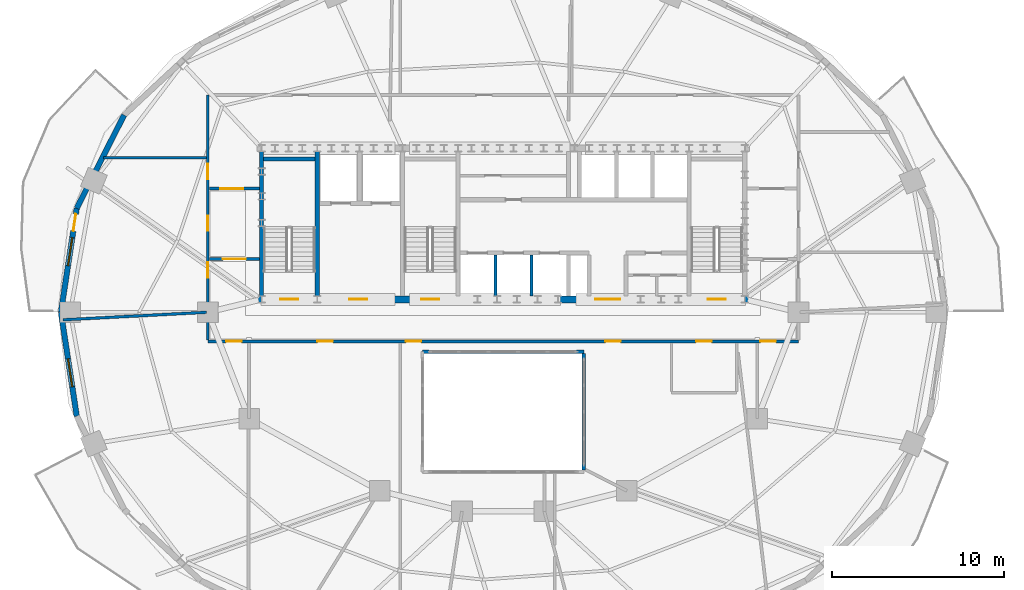
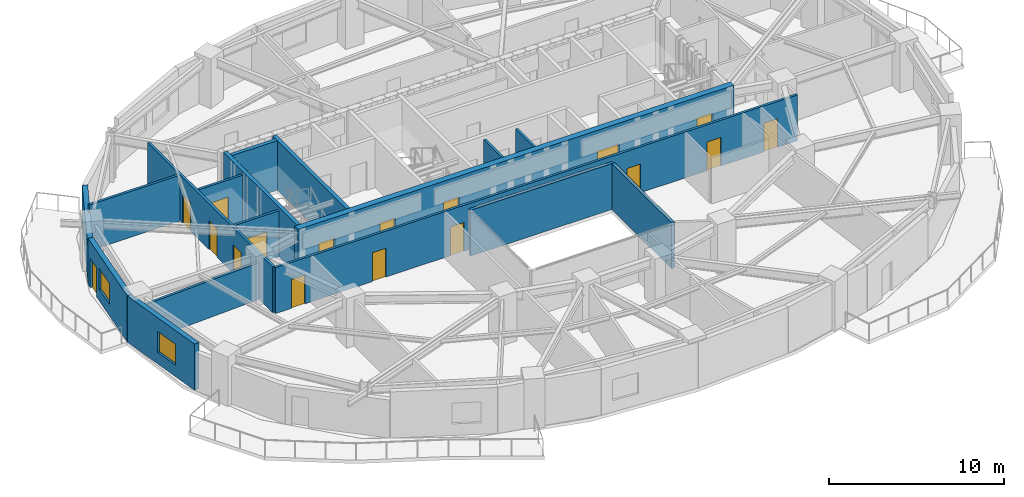
# One storey, part 6 of 11: 17 doors, 17 walls, 2 windows, 19 openings.
"""IFC4 building model written with IfcOpenShell, lengths in metres."""

from ifc_helpers import new_model, si_unit, direction, frame, frame_2d, origin, place, context, subcontext, project, spatial, rectangle, extrude, material, layer, layer_set, type_object, element, fill, save


model = new_model("IFC4")

# Units and contexts
model_context = context("Model", 3, precision=1e-05, world=origin(), true_north=direction((0.0, 1.0)))
body_context = subcontext(model_context, "Body", "Model", "MODEL_VIEW")
ifc_project = project(units=[si_unit("LENGTHUNIT", "METRE"), si_unit("AREAUNIT", "SQUARE_METRE"), si_unit("VOLUMEUNIT", "CUBIC_METRE"), si_unit("PLANEANGLEUNIT", "RADIAN"), si_unit("MASSUNIT", "GRAM", prefix="KILO")], contexts=[model_context])

# Site, building, storey
site_placement = place(None, origin())
site = spatial("IfcSite", under=ifc_project, at=site_placement, CompositionType="ELEMENT")
building_placement = place(site_placement, origin())
building = spatial("IfcBuilding", under=site, at=building_placement, Name="Haldorwick Loom Tower", CompositionType="ELEMENT")
storey_placement = place(building_placement, frame((0.0, 0.0, 171.699951171875)))
storey = spatial("IfcBuildingStorey", under=building, at=storey_placement, Name="L46", CompositionType="ELEMENT", Elevation=171.699951171875)

# Wall
ifc_material_1 = material(Name="Pressed Clay Face Brick and Insulated Masonry Backup Assembly", Category="masonry")
ifc_layer_1 = layer(ifc_material_1, 0.320068359375, Name="Pressed Clay Face Brick and Insulated Masonry Backup Assembly", Category="masonry")
ifc_layer_set_1 = layer_set([ifc_layer_1], Name="Pressed Clay Face Brick and Insulated Masonry Backup Assembly")
wall_type_1 = type_object("IfcWallType", Name="ARC-WL-EXT320", PredefinedType="STANDARD", material=ifc_layer_set_1)
wall_1_placement = place(storey_placement, frame((13.92333984375, 37.481201171875, 0.0), z_axis=(0.0, 0.0, 1.0), x_axis=(-0.453172129629, -0.89142303141, 0.0)))
element("IfcWall", 1, at=wall_1_placement, inside=storey, type_object=wall_type_1, Name="L46 Brick Pier and Spandrel Wall 11", PredefinedType="STANDARD", context=body_context, shape_type="SweptSolid", body=[
    extrude(rectangle(XDim=6.086669921875, YDim=0.320068359375, at=frame_2d((3.04345703125, 0.0))), origin(), (0.0, 0.0, 1.0), 2.64111328125),
])

# Wall, openings, door, window
wall_2_placement = place(storey_placement, frame((11.1650390625, 32.055419921875, 0.0), z_axis=(0.0, 0.0, 1.0), x_axis=(-0.150544467684, -0.988603238539, 0.0)))
wall_2 = element("IfcWall", 2, at=wall_2_placement, inside=storey, type_object=wall_type_1, Name="L46 Brick Pier and Spandrel Wall 12", PredefinedType="STANDARD", context=body_context, shape_type="SweptSolid", body=[
    extrude(rectangle(XDim=6.125244140625, YDim=0.320068359375, at=frame_2d((3.0625, 0.0))), origin(), (0.0, 0.0, 1.0), 3.2099609375),
])
opening_1_placement = place(wall_2_placement, frame((0.340087890625, 0.0, 0.0)))
opening_1 = element("IfcOpeningElement", 3, at=opening_1_placement, cuts=wall_2, Name="Opening D-BL10", PredefinedType="OPENING", context=body_context, shape_type="SweptSolid", body=[
    extrude(rectangle(XDim=1.0, YDim=2.0400390625, at=frame_2d((0.5, 1.02001953125))), frame((0.0, 0.169921875, 0.0), z_axis=(0.0, -1.0, 0.0), x_axis=(1.0, 0.0, 0.0)), (0.0, 0.0, 1.0), 0.340087890625),
])
opening_2_placement = place(wall_2_placement, frame((1.7255859375, 0.0, 0.800048828125)))
opening_2 = element("IfcOpeningElement", 4, at=opening_2_placement, cuts=wall_2, Name="Opening W-01B", PredefinedType="OPENING", context=body_context, shape_type="SweptSolid", body=[
    extrude(rectangle(XDim=1.64990234375, YDim=1.449951171875, at=frame_2d((0.824951171875, 0.72509765625))), frame((0.0, 0.169921875, 0.0), z_axis=(0.0, -1.0, 0.0), x_axis=(1.0, 0.0, 0.0)), (0.0, 0.0, 1.0), 0.340087890625),
])
ifc_material_2 = material(Name="Thermally Broken Anodized Aluminium Curtain Wall Framing", Category="aluminium")
door_type_1 = type_object("IfcDoorType", Name="ARC-DR-BAL100", OperationType="NOTDEFINED", PredefinedType="DOOR", material=ifc_material_2)
door_1_placement = place(opening_1_placement, origin())
door_1 = element("IfcDoor", 5, at=door_1_placement, inside=storey, type_object=door_type_1, Name="L46 Outdoor Terrace Door SLB-L46-BAL_WNW", OperationType="SINGLE_SWING_RIGHT", OverallHeight=2.0400390625, OverallWidth=1.0, PredefinedType="DOOR", context=body_context, shape_type="SweptSolid", body=[
    extrude(rectangle(XDim=1.0, YDim=2.0400390625, at=frame_2d((0.5, 1.02001953125))), frame((0.0, 0.02490234375, 0.0), z_axis=(0.0, -1.0, 0.0), x_axis=(1.0, 0.0, 0.0)), (0.0, 0.0, 1.0), 0.050048828125),
])
fill(opening_1, door_1)
ifc_material_3 = material(Name="Triple-Glazed Low-E Argon Insulated Glazing Unit", Category="glass")
window_type = type_object("IfcWindowType", Name="ARC-WIN-W165", PartitioningType="SINGLE_PANEL", PredefinedType="WINDOW", material=ifc_material_3)
window_1_placement = place(opening_2_placement, origin())
window_1 = element("IfcWindow", 6, at=window_1_placement, inside=storey, type_object=window_type, Name="L46 Deep-Set Zone 7A Window 12", OverallHeight=1.449951171875, OverallWidth=1.64990234375, PartitioningType="SINGLE_PANEL", PredefinedType="WINDOW", context=body_context, shape_type="SweptSolid", body=[
    extrude(rectangle(XDim=1.64990234375, YDim=1.449951171875, at=frame_2d((0.824951171875, 0.72509765625))), frame((0.0, 0.030029296875, 0.0), z_axis=(0.0, -1.0, 0.0), x_axis=(1.0, 0.0, 0.0)), (0.0, 0.0, 1.0), 0.06005859375),
])
fill(opening_2, window_1)

# Wall, opening, window
wall_3_placement = place(storey_placement, frame((10.242919921875, 26.0, 0.0), z_axis=(0.0, 0.0, 1.0), x_axis=(0.150544467684, -0.988603238539, 0.0)))
wall_3 = element("IfcWall", 7, at=wall_3_placement, inside=storey, type_object=wall_type_1, Name="L46 Brick Pier and Spandrel Wall 13", PredefinedType="STANDARD", context=body_context, shape_type="SweptSolid", body=[
    extrude(rectangle(XDim=6.125244140625, YDim=0.320068359375, at=frame_2d((3.0625, 0.0))), origin(), (0.0, 0.0, 1.0), 3.2099609375),
])
opening_3_placement = place(wall_3_placement, frame((2.749755859375, 0.0, 0.800048828125)))
opening_3 = element("IfcOpeningElement", 8, at=opening_3_placement, cuts=wall_3, Name="Opening W-01B", PredefinedType="OPENING", context=body_context, shape_type="SweptSolid", body=[
    extrude(rectangle(XDim=1.64990234375, YDim=1.449951171875, at=frame_2d((0.824951171875, 0.72509765625))), frame((0.0, 0.169921875, 0.0), z_axis=(0.0, -1.0, 0.0), x_axis=(1.0, 0.0, 0.0)), (0.0, 0.0, 1.0), 0.340087890625),
])
window_2_placement = place(opening_3_placement, origin())
window_2 = element("IfcWindow", 9, at=window_2_placement, inside=storey, type_object=window_type, Name="L46 Deep-Set Zone 7A Window 13", OverallHeight=1.449951171875, OverallWidth=1.64990234375, PartitioningType="SINGLE_PANEL", PredefinedType="WINDOW", context=body_context, shape_type="SweptSolid", body=[
    extrude(rectangle(XDim=1.64990234375, YDim=1.449951171875, at=frame_2d((0.824951171875, 0.72509765625))), frame((0.0, 0.030029296875, 0.0), z_axis=(0.0, -1.0, 0.0), x_axis=(1.0, 0.0, 0.0)), (0.0, 0.0, 1.0), 0.06005859375),
])
fill(opening_3, window_2)

# Wall, openings, doors
ifc_material_4 = material(Name="Fire-Rated Type X Gypsum Stud Assembly EI 60")
ifc_layer_2 = layer(ifc_material_4, 0.159912109375, Name="Fire-Rated Type X Gypsum Stud Assembly EI 60")
ifc_layer_set_2 = layer_set([ifc_layer_2], Name="Fire-Rated Type X Gypsum Stud Assembly EI 60")
wall_type_2 = type_object("IfcWallType", Name="ARC-WL-FIRE160", PredefinedType="PARTITIONING", material=ifc_layer_set_2)
wall_4_placement = place(storey_placement, frame((18.800048828125, 24.300048828125, 0.0), z_axis=(0.0, 0.0, 1.0), x_axis=(1.0, 0.0, 0.0)))
wall_4 = element("IfcWall", 10, at=wall_4_placement, inside=storey, type_object=wall_type_2, Name="L46 Residential Fire Partition L46-CR-SP", PredefinedType="PARTITIONING", context=body_context, shape_type="SweptSolid", body=[
    extrude(rectangle(XDim=34.39990234375, YDim=0.159912109375, at=frame_2d((17.199951171875, 0.0))), origin(), (0.0, 0.0, 1.0), 3.195068359375),
])
opening_4_placement = place(wall_4_placement, frame((11.52734375, 0.0, 0.0)))
opening_4 = element("IfcOpeningElement", 11, at=opening_4_placement, cuts=wall_4, Name="Opening D-FD60A", PredefinedType="OPENING", context=body_context, shape_type="SweptSolid", body=[
    extrude(rectangle(XDim=0.89990234375, YDim=2.0, at=frame_2d((0.449951171875, 1.0))), frame((0.0, 0.08984375, 0.0), z_axis=(0.0, -1.0, 0.0), x_axis=(1.0, 0.0, 0.0)), (0.0, 0.0, 1.0), 0.179931640625),
])
opening_5_placement = place(wall_4_placement, frame((6.385986328125, 0.0, 0.0)))
opening_5 = element("IfcOpeningElement", 12, at=opening_5_placement, cuts=wall_4, Name="Opening D-FD60A", PredefinedType="OPENING", context=body_context, shape_type="SweptSolid", body=[
    extrude(rectangle(XDim=0.89990234375, YDim=2.0, at=frame_2d((0.449951171875, 1.0))), frame((0.0, 0.08984375, 0.0), z_axis=(0.0, -1.0, 0.0), x_axis=(1.0, 0.0, 0.0)), (0.0, 0.0, 1.0), 0.179931640625),
])
opening_6_placement = place(wall_4_placement, frame((23.14501953125, 0.0, 0.0)))
opening_6 = element("IfcOpeningElement", 13, at=opening_6_placement, cuts=wall_4, Name="Opening D-FD60A", PredefinedType="OPENING", context=body_context, shape_type="SweptSolid", body=[
    extrude(rectangle(XDim=0.89990234375, YDim=2.0, at=frame_2d((0.449951171875, 1.0))), frame((0.0, 0.08984375, 0.0), z_axis=(0.0, -1.0, 0.0), x_axis=(1.0, 0.0, 0.0)), (0.0, 0.0, 1.0), 0.179931640625),
])
opening_7_placement = place(wall_4_placement, frame((28.437255859375, 0.0, 0.0)))
opening_7 = element("IfcOpeningElement", 14, at=opening_7_placement, cuts=wall_4, Name="Opening D-FD60A", PredefinedType="OPENING", context=body_context, shape_type="SweptSolid", body=[
    extrude(rectangle(XDim=0.89990234375, YDim=2.0, at=frame_2d((0.449951171875, 1.0))), frame((0.0, 0.08984375, 0.0), z_axis=(0.0, -1.0, 0.0), x_axis=(1.0, 0.0, 0.0)), (0.0, 0.0, 1.0), 0.179931640625),
])
opening_8_placement = place(wall_4_placement, frame((32.185791015625, 0.0, 0.0)))
opening_8 = element("IfcOpeningElement", 15, at=opening_8_placement, cuts=wall_4, Name="Opening D-FD60A", PredefinedType="OPENING", context=body_context, shape_type="SweptSolid", body=[
    extrude(rectangle(XDim=0.89990234375, YDim=2.0, at=frame_2d((0.449951171875, 1.0))), frame((0.0, 0.08984375, 0.0), z_axis=(0.0, -1.0, 0.0), x_axis=(1.0, 0.0, 0.0)), (0.0, 0.0, 1.0), 0.179931640625),
])
opening_9_placement = place(wall_4_placement, frame((1.063232421875, 0.0, 0.0)))
opening_9 = element("IfcOpeningElement", 16, at=opening_9_placement, cuts=wall_4, Name="Opening D-FD60A", PredefinedType="OPENING", context=body_context, shape_type="SweptSolid", body=[
    extrude(rectangle(XDim=0.89990234375, YDim=2.0, at=frame_2d((0.449951171875, 1.0))), frame((0.0, 0.08984375, 0.0), z_axis=(0.0, -1.0, 0.0), x_axis=(1.0, 0.0, 0.0)), (0.0, 0.0, 1.0), 0.179931640625),
])
ifc_material_5 = material(Name="Hollow Steel Fire Door Assembly", Category="steel")
door_type_2 = type_object("IfcDoorType", Name="ARC-DR-FD60-90", OperationType="NOTDEFINED", PredefinedType="DOOR", material=ifc_material_5)
door_2_placement = place(opening_4_placement, origin())
door_2 = element("IfcDoor", 17, at=door_2_placement, inside=storey, type_object=door_type_2, Name="L46 L46 Central Residential Corridor to Tenant Seminar Meeting Room 1 Do", OperationType="SINGLE_SWING_LEFT", OverallHeight=2.0, OverallWidth=0.89990234375, PredefinedType="DOOR", context=body_context, shape_type="SweptSolid", body=[
    extrude(rectangle(XDim=0.89990234375, YDim=2.0, at=frame_2d((0.449951171875, 1.0))), frame((0.0, 0.02490234375, 0.0), z_axis=(0.0, -1.0, 0.0), x_axis=(1.0, 0.0, 0.0)), (0.0, 0.0, 1.0), 0.050048828125),
])
fill(opening_4, door_2)
door_3_placement = place(opening_5_placement, origin())
door_3 = element("IfcDoor", 18, at=door_3_placement, inside=storey, type_object=door_type_2, Name="L46 L46 Central Residential Corridor to Tenant Seminar Meeting Room 6 Do", OperationType="SINGLE_SWING_RIGHT", OverallHeight=2.0, OverallWidth=0.89990234375, PredefinedType="DOOR", context=body_context, shape_type="SweptSolid", body=[
    extrude(rectangle(XDim=0.89990234375, YDim=2.0, at=frame_2d((0.449951171875, 1.0))), frame((0.0, 0.02490234375, 0.0), z_axis=(0.0, -1.0, 0.0), x_axis=(1.0, 0.0, 0.0)), (0.0, 0.0, 1.0), 0.050048828125),
])
fill(opening_5, door_3)
door_4_placement = place(opening_6_placement, origin())
door_4 = element("IfcDoor", 19, at=door_4_placement, inside=storey, type_object=door_type_2, Name="L46 L46 Central Residential Corridor to Tenant Seminar Meeting Room 8 Do", OperationType="SINGLE_SWING_LEFT", OverallHeight=2.0, OverallWidth=0.89990234375, PredefinedType="DOOR", context=body_context, shape_type="SweptSolid", body=[
    extrude(rectangle(XDim=0.89990234375, YDim=2.0, at=frame_2d((0.449951171875, 1.0))), frame((0.0, 0.02490234375, 0.0), z_axis=(0.0, -1.0, 0.0), x_axis=(1.0, 0.0, 0.0)), (0.0, 0.0, 1.0), 0.050048828125),
])
fill(opening_6, door_4)
door_5_placement = place(opening_7_placement, origin())
door_5 = element("IfcDoor", 20, at=door_5_placement, inside=storey, type_object=door_type_2, Name="L46 L46 Central Residential Corridor to Common Accessible WC Door", OperationType="SINGLE_SWING_LEFT", OverallHeight=2.0, OverallWidth=0.89990234375, PredefinedType="DOOR", context=body_context, shape_type="SweptSolid", body=[
    extrude(rectangle(XDim=0.89990234375, YDim=2.0, at=frame_2d((0.449951171875, 1.0))), frame((0.0, 0.02490234375, 0.0), z_axis=(0.0, -1.0, 0.0), x_axis=(1.0, 0.0, 0.0)), (0.0, 0.0, 1.0), 0.050048828125),
])
fill(opening_7, door_5)
door_6_placement = place(opening_8_placement, origin())
door_6 = element("IfcDoor", 21, at=door_6_placement, inside=storey, type_object=door_type_2, Name="L46 L46 Central Residential Corridor to Tenant Seminar Meeting Room 5 Do", OperationType="SINGLE_SWING_LEFT", OverallHeight=2.0, OverallWidth=0.89990234375, PredefinedType="DOOR", context=body_context, shape_type="SweptSolid", body=[
    extrude(rectangle(XDim=0.89990234375, YDim=2.0, at=frame_2d((0.449951171875, 1.0))), frame((0.0, 0.02490234375, 0.0), z_axis=(0.0, -1.0, 0.0), x_axis=(1.0, 0.0, 0.0)), (0.0, 0.0, 1.0), 0.050048828125),
])
fill(opening_8, door_6)
door_7_placement = place(opening_9_placement, origin())
door_7 = element("IfcDoor", 22, at=door_7_placement, inside=storey, type_object=door_type_2, Name="L46 L46 Central Residential Corridor to Tenant Seminar Meeting Room 7 Do", OperationType="SINGLE_SWING_LEFT", OverallHeight=2.0, OverallWidth=0.89990234375, PredefinedType="DOOR", context=body_context, shape_type="SweptSolid", body=[
    extrude(rectangle(XDim=0.89990234375, YDim=2.0, at=frame_2d((0.449951171875, 1.0))), frame((0.0, 0.02490234375, 0.0), z_axis=(0.0, -1.0, 0.0), x_axis=(1.0, 0.0, 0.0)), (0.0, 0.0, 1.0), 0.050048828125),
])
fill(opening_9, door_7)

wall_5_placement = place(storey_placement, frame((18.800048828125, 24.383056640625, 0.0), z_axis=(0.0, 0.0, 1.0), x_axis=(0.0, 1.0, 0.0)))
wall_5 = element("IfcWall", 23, at=wall_5_placement, inside=storey, type_object=wall_type_2, Name="L46 Residential Fire Partition L46-CR-W0", PredefinedType="PARTITIONING", context=body_context, shape_type="SweptSolid", body=[
    extrude(rectangle(XDim=14.266845703125, YDim=0.159912109375, at=frame_2d((7.13330078125, 0.0))), origin(), (0.0, 0.0, 1.0), 3.195068359375),
])
opening_10_placement = place(wall_5_placement, frame((6.34912109375, 0.0, 0.0)))
opening_10 = element("IfcOpeningElement", 24, at=opening_10_placement, cuts=wall_5, Name="Opening D-FD60A", PredefinedType="OPENING", context=body_context, shape_type="SweptSolid", body=[
    extrude(rectangle(XDim=0.89990234375, YDim=2.0, at=frame_2d((0.449951171875, 1.0))), frame((0.0, 0.08984375, 0.0), z_axis=(0.0, -1.0, 0.0), x_axis=(1.0, 0.0, 0.0)), (0.0, 0.0, 1.0), 0.179931640625),
])
opening_11_placement = place(wall_5_placement, frame((3.619873046875, 0.0, 0.0)))
opening_11 = element("IfcOpeningElement", 25, at=opening_11_placement, cuts=wall_5, Name="Opening D-FD60A", PredefinedType="OPENING", context=body_context, shape_type="SweptSolid", body=[
    extrude(rectangle(XDim=0.89990234375, YDim=2.0, at=frame_2d((0.449951171875, 1.0))), frame((0.0, 0.08984375, 0.0), z_axis=(0.0, -1.0, 0.0), x_axis=(1.0, 0.0, 0.0)), (0.0, 0.0, 1.0), 0.179931640625),
])
opening_12_placement = place(wall_5_placement, frame((9.358642578125, 0.0, 0.0)))
opening_12 = element("IfcOpeningElement", 26, at=opening_12_placement, cuts=wall_5, Name="Opening D-FD60A", PredefinedType="OPENING", context=body_context, shape_type="SweptSolid", body=[
    extrude(rectangle(XDim=0.89990234375, YDim=2.0, at=frame_2d((0.449951171875, 1.0))), frame((0.0, 0.08984375, 0.0), z_axis=(0.0, -1.0, 0.0), x_axis=(1.0, 0.0, 0.0)), (0.0, 0.0, 1.0), 0.179931640625),
])
door_8_placement = place(opening_10_placement, frame((0.89990234375, 0.0, 0.0), z_axis=(0.0, 0.0, 1.0), x_axis=(-1.0, 0.0, 0.0)))
door_8 = element("IfcDoor", 27, at=door_8_placement, inside=storey, type_object=door_type_2, Name="L46 Co-Working Office 2 to L46 West Residential Corridor Door", OperationType="SINGLE_SWING_RIGHT", OverallHeight=2.0, OverallWidth=0.89990234375, PredefinedType="DOOR", context=body_context, shape_type="SweptSolid", body=[
    extrude(rectangle(XDim=0.89990234375, YDim=2.0, at=frame_2d((0.449951171875, 1.0))), frame((0.0, 0.02490234375, 0.0), z_axis=(0.0, -1.0, 0.0), x_axis=(1.0, 0.0, 0.0)), (0.0, 0.0, 1.0), 0.050048828125),
])
fill(opening_10, door_8)
door_9_placement = place(opening_11_placement, frame((0.89990234375, 0.0, 0.0), z_axis=(0.0, 0.0, 1.0), x_axis=(-1.0, 0.0, 0.0)))
door_9 = element("IfcDoor", 28, at=door_9_placement, inside=storey, type_object=door_type_2, Name="L46 Co-Working Office 2 to L46 Central Residential Corridor Door", OperationType="SINGLE_SWING_RIGHT", OverallHeight=2.0, OverallWidth=0.89990234375, PredefinedType="DOOR", context=body_context, shape_type="SweptSolid", body=[
    extrude(rectangle(XDim=0.89990234375, YDim=2.0, at=frame_2d((0.449951171875, 1.0))), frame((0.0, 0.02490234375, 0.0), z_axis=(0.0, -1.0, 0.0), x_axis=(1.0, 0.0, 0.0)), (0.0, 0.0, 1.0), 0.050048828125),
])
fill(opening_11, door_9)
door_10_placement = place(opening_12_placement, frame((0.89990234375, 0.0, 0.0), z_axis=(0.0, 0.0, 1.0), x_axis=(-1.0, 0.0, 0.0)))
door_10 = element("IfcDoor", 29, at=door_10_placement, inside=storey, type_object=door_type_2, Name="L46 Co-Working Office 2 to L46 North Residential Corridor Door", OperationType="SINGLE_SWING_RIGHT", OverallHeight=2.0, OverallWidth=0.89990234375, PredefinedType="DOOR", context=body_context, shape_type="SweptSolid", body=[
    extrude(rectangle(XDim=0.89990234375, YDim=2.0, at=frame_2d((0.449951171875, 1.0))), frame((0.0, 0.02490234375, 0.0), z_axis=(0.0, -1.0, 0.0), x_axis=(1.0, 0.0, 0.0)), (0.0, 0.0, 1.0), 0.050048828125),
])
fill(opening_12, door_10)

# Wall, opening, door
wall_6_placement = place(storey_placement, frame((18.883056640625, 29.10009765625, 0.0), z_axis=(0.0, 0.0, 1.0), x_axis=(1.0, 0.0, 0.0)))
wall_6 = element("IfcWall", 30, at=wall_6_placement, inside=storey, type_object=wall_type_2, Name="L46 Residential Fire Partition L46-CR-WSJ", PredefinedType="PARTITIONING", context=body_context, shape_type="SweptSolid", body=[
    extrude(rectangle(XDim=2.923828125, YDim=0.159912109375, at=frame_2d((1.4619140625, 0.0))), origin(), (0.0, 0.0, 1.0), 3.195068359375),
])
opening_13_placement = place(wall_6_placement, frame((0.787109375, 0.0, 0.0)))
opening_13 = element("IfcOpeningElement", 31, at=opening_13_placement, cuts=wall_6, Name="Opening D-CR15", PredefinedType="OPENING", context=body_context, shape_type="SweptSolid", body=[
    extrude(rectangle(XDim=1.35009765625, YDim=2.0, at=frame_2d((0.675048828125, 1.0))), frame((0.0, 0.08984375, 0.0), z_axis=(0.0, -1.0, 0.0), x_axis=(1.0, 0.0, 0.0)), (0.0, 0.0, 1.0), 0.179931640625),
])
ifc_material_6 = material(Name="Thermally Broken Anodized Aluminium and Tempered Glass", Category="aluminium")
door_type_3 = type_object("IfcDoorType", Name="ARC-DR-COR150", OperationType="NOTDEFINED", PredefinedType="DOOR", material=ifc_material_6)
door_11_placement = place(opening_13_placement, origin())
door_11 = element("IfcDoor", 32, at=door_11_placement, inside=storey, type_object=door_type_3, Name="L46 L46 West Residential Corridor to L46 Central Residential Corridor Do", OperationType="DOUBLE_DOOR_SINGLE_SWING", OverallHeight=2.0, OverallWidth=1.35009765625, PredefinedType="DOOR", context=body_context, shape_type="SweptSolid", body=[
    extrude(rectangle(XDim=1.35009765625, YDim=2.0, at=frame_2d((0.675048828125, 1.0))), frame((0.0, 0.02490234375, 0.0), z_axis=(0.0, -1.0, 0.0), x_axis=(1.0, 0.0, 0.0)), (0.0, 0.0, 1.0), 0.050048828125),
])
fill(opening_13, door_11)

wall_7_placement = place(storey_placement, frame((18.883056640625, 33.199951171875, 0.0), z_axis=(0.0, 0.0, 1.0), x_axis=(1.0, 0.0, 0.0)))
wall_7 = element("IfcWall", 33, at=wall_7_placement, inside=storey, type_object=wall_type_2, Name="L46 Residential Fire Partition L46-CR-WNJ", PredefinedType="PARTITIONING", context=body_context, shape_type="SweptSolid", body=[
    extrude(rectangle(XDim=2.923828125, YDim=0.159912109375, at=frame_2d((1.4619140625, 0.0))), origin(), (0.0, 0.0, 1.0), 3.195068359375),
])
opening_14_placement = place(wall_7_placement, frame((0.637939453125, 0.0, 0.0)))
opening_14 = element("IfcOpeningElement", 34, at=opening_14_placement, cuts=wall_7, Name="Opening D-CR15", PredefinedType="OPENING", context=body_context, shape_type="SweptSolid", body=[
    extrude(rectangle(XDim=1.35009765625, YDim=2.0, at=frame_2d((0.675048828125, 1.0))), frame((0.0, 0.08984375, 0.0), z_axis=(0.0, -1.0, 0.0), x_axis=(1.0, 0.0, 0.0)), (0.0, 0.0, 1.0), 0.179931640625),
])
door_12_placement = place(opening_14_placement, origin())
door_12 = element("IfcDoor", 35, at=door_12_placement, inside=storey, type_object=door_type_3, Name="L46 L46 North Residential Corridor to L46 West Residential Corridor Door", OperationType="DOUBLE_DOOR_SINGLE_SWING", OverallHeight=2.0, OverallWidth=1.35009765625, PredefinedType="DOOR", context=body_context, shape_type="SweptSolid", body=[
    extrude(rectangle(XDim=1.35009765625, YDim=2.0, at=frame_2d((0.675048828125, 1.0))), frame((0.0, 0.02490234375, 0.0), z_axis=(0.0, -1.0, 0.0), x_axis=(1.0, 0.0, 0.0)), (0.0, 0.0, 1.0), 0.050048828125),
])
fill(opening_14, door_12)

# Walls
wall_8_placement = place(storey_placement, frame((18.717041015625, 25.99560546875, 0.0), z_axis=(0.0, 0.0, 1.0), x_axis=(-0.99863031647, -0.052321038094, 0.0)))
element("IfcWall", 36, at=wall_8_placement, inside=storey, type_object=wall_type_2, Name="L46 Residential Fire Partition L46-ICR-11", PredefinedType="PARTITIONING", context=body_context, shape_type="SweptSolid", body=[
    extrude(rectangle(XDim=8.3525390625, YDim=0.159912109375, at=frame_2d((4.17626953125, 0.0))), origin(), (0.0, 0.0, 1.0), 2.568115234375),
])
wall_9_placement = place(storey_placement, frame((12.73486328125, 35.0, 0.0), z_axis=(0.0, 0.0, 1.0), x_axis=(1.0, 0.0, 0.0)))
element("IfcWall", 37, at=wall_9_placement, inside=storey, type_object=wall_type_2, Name="L46 Residential Fire Partition L46-FLW-16", PredefinedType="PARTITIONING", context=body_context, shape_type="SweptSolid", body=[
    extrude(rectangle(XDim=5.982177734375, YDim=0.159912109375, at=frame_2d((2.9912109375, 0.0))), origin(), (0.0, 0.0, 1.0), 3.195068359375),
])
ifc_material_7 = material(Name="Fire-Rated Type X Gypsum Stud Assembly EI 120")
ifc_layer_3 = layer(ifc_material_7, 0.199951171875, Name="Fire-Rated Type X Gypsum Stud Assembly EI 120")
ifc_layer_set_3 = layer_set([ifc_layer_3], Name="Fire-Rated Type X Gypsum Stud Assembly EI 120")
wall_type_3 = type_object("IfcWallType", Name="ARC-WL-FIRE200", PredefinedType="PARTITIONING", material=ifc_layer_set_3)
wall_10_placement = place(storey_placement, frame((31.300048828125, 23.699951171875, 0.0), z_axis=(0.0, 0.0, 1.0), x_axis=(1.0, 0.0, 0.0)))
element("IfcWall", 38, at=wall_10_placement, inside=storey, type_object=wall_type_3, Name="L46 Atrium Fire Enclosure Wall N", PredefinedType="PARTITIONING", context=body_context, shape_type="SweptSolid", body=[
    extrude(rectangle(XDim=9.39990234375, YDim=0.199951171875, at=frame_2d((4.699951171875, 0.0))), origin(), (0.0, 0.0, 1.0), 3.195068359375),
])
wall_11_placement = place(storey_placement, frame((40.699951171875, 23.596923828125, 0.0), z_axis=(0.0, 0.0, 1.0), x_axis=(0.0, -1.0, 0.0)))
element("IfcWall", 39, at=wall_11_placement, inside=storey, type_object=wall_type_3, Name="L46 Atrium Fire Enclosure Wall E", PredefinedType="PARTITIONING", context=body_context, shape_type="SweptSolid", body=[
    extrude(rectangle(XDim=6.7939453125, YDim=0.199951171875, at=frame_2d((3.39697265625, 0.0))), origin(), (0.0, 0.0, 1.0), 3.195068359375),
])
ifc_layer_4 = layer(ifc_material_7, 0.1650390625, Name="Fire-Rated Type X Gypsum Stud Assembly EI 120")
ifc_layer_set_4 = layer_set([ifc_layer_4], Name="Fire-Rated Type X Gypsum Stud Assembly EI 120")
wall_type_4 = type_object("IfcWallType", Name="ARC-WL-SHAFT160", PredefinedType="MOVABLE", material=ifc_layer_set_4)
for number, where, z_axis, x_axis, name in (
    (40, (35.550048828125, 26.952880859375, 0.0), (0.0, 0.0, 1.0), (0.0, 1.0, 0.0), "L46 Mid-Rise Hoistway Divider 1"),
    (41, (37.64990234375, 26.952880859375, 0.0), (0.0, 0.0, 1.0), (0.0, 1.0, 0.0), "L46 Mid-Rise Hoistway Divider 2"),
):
    element("IfcWall", number, at=place(storey_placement, frame(where, z_axis=z_axis, x_axis=x_axis)), inside=storey, type_object=wall_type_4, Name=name, PredefinedType="MOVABLE", context=body_context, shape_type="SweptSolid", body=[
        extrude(rectangle(XDim=2.3740234375, YDim=0.159912109375, at=frame_2d((1.18701171875, 0.0))), origin(), (0.0, 0.0, 1.0), 3.195068359375),
    ])

# Wall, openings, doors
ifc_material_8 = material(Name="Concrete C50 (50 MPa)", Category="concrete")
ifc_layer_5 = layer(ifc_material_8, 0.39990234375, Name="Concrete C50 (50 MPa)", Category="concrete")
ifc_layer_set_5 = layer_set([ifc_layer_5], Name="Concrete C50 (50 MPa)")
wall_type_5 = type_object("IfcWallType", Name="STR-WL-CORE400", PredefinedType="SHEAR", material=ifc_layer_set_5)
wall_12_placement = place(storey_placement, frame((21.64990234375, 26.75, 0.0), z_axis=(0.0, 0.0, 1.0), x_axis=(1.0, 0.0, 0.0)))
wall_12 = element("IfcWall", 42, at=wall_12_placement, inside=storey, type_object=wall_type_5, Name="L46 Core Shear Wall S", PredefinedType="SHEAR", context=body_context, shape_type="SweptSolid", body=[
    extrude(rectangle(XDim=28.7001953125, YDim=0.39990234375, at=frame_2d((14.35009765625, 0.0))), origin(), (0.0, 0.0, 1.0), 3.449951171875),
])
opening_15_placement = place(wall_12_placement, frame((1.375, 0.0, 0.0)))
opening_15 = element("IfcOpeningElement", 43, at=opening_15_placement, cuts=wall_12, Name="Opening D-FD60", PredefinedType="OPENING", context=body_context, shape_type="SweptSolid", body=[
    extrude(rectangle(XDim=1.050048828125, YDim=2.0, at=frame_2d((0.52490234375, 1.0))), frame((0.0, 0.2099609375, 0.0), z_axis=(0.0, -1.0, 0.0), x_axis=(1.0, 0.0, 0.0)), (0.0, 0.0, 1.0), 0.419921875),
])
opening_16_placement = place(wall_12_placement, frame((5.375, 0.0, 0.0)))
opening_16 = element("IfcOpeningElement", 44, at=opening_16_placement, cuts=wall_12, Name="Opening D-FD60", PredefinedType="OPENING", context=body_context, shape_type="SweptSolid", body=[
    extrude(rectangle(XDim=1.050048828125, YDim=2.0, at=frame_2d((0.52490234375, 1.0))), frame((0.0, 0.2099609375, 0.0), z_axis=(0.0, -1.0, 0.0), x_axis=(1.0, 0.0, 0.0)), (0.0, 0.0, 1.0), 0.419921875),
])
opening_17_placement = place(wall_12_placement, frame((9.574951171875, 0.0, 0.0)))
opening_17 = element("IfcOpeningElement", 45, at=opening_17_placement, cuts=wall_12, Name="Opening D-FD60", PredefinedType="OPENING", context=body_context, shape_type="SweptSolid", body=[
    extrude(rectangle(XDim=1.050048828125, YDim=2.0, at=frame_2d((0.52490234375, 1.0))), frame((0.0, 0.2099609375, 0.0), z_axis=(0.0, -1.0, 0.0), x_axis=(1.0, 0.0, 0.0)), (0.0, 0.0, 1.0), 0.419921875),
])
opening_18_placement = place(wall_12_placement, frame((19.705078125, 0.0, 0.0)))
opening_18 = element("IfcOpeningElement", 46, at=opening_18_placement, cuts=wall_12, Name="Opening D-LB15", PredefinedType="OPENING", context=body_context, shape_type="SweptSolid", body=[
    extrude(rectangle(XDim=1.449951171875, YDim=2.0, at=frame_2d((0.72509765625, 1.0))), frame((0.0, 0.2099609375, 0.0), z_axis=(0.0, -1.0, 0.0), x_axis=(1.0, 0.0, 0.0)), (0.0, 0.0, 1.0), 0.419921875),
])
opening_19_placement = place(wall_12_placement, frame((26.27490234375, 0.0, 0.0)))
opening_19 = element("IfcOpeningElement", 47, at=opening_19_placement, cuts=wall_12, Name="Opening D-FD60", PredefinedType="OPENING", context=body_context, shape_type="SweptSolid", body=[
    extrude(rectangle(XDim=1.050048828125, YDim=2.0, at=frame_2d((0.52490234375, 1.0))), frame((0.0, 0.2099609375, 0.0), z_axis=(0.0, -1.0, 0.0), x_axis=(1.0, 0.0, 0.0)), (0.0, 0.0, 1.0), 0.419921875),
])
door_type_4 = type_object("IfcDoorType", Name="ARC-DR-FD60", OperationType="NOTDEFINED", PredefinedType="DOOR", material=ifc_material_5)
door_13_placement = place(opening_15_placement, origin())
door_13 = element("IfcDoor", 48, at=door_13_placement, inside=storey, type_object=door_type_4, Name="L46 Exit Stair ST-01 Fire Door", OperationType="SINGLE_SWING_RIGHT", OverallHeight=2.0, OverallWidth=1.050048828125, PredefinedType="DOOR", context=body_context, shape_type="SweptSolid", body=[
    extrude(rectangle(XDim=1.050048828125, YDim=2.0, at=frame_2d((0.52490234375, 1.0))), frame((0.0, 0.02490234375, 0.0), z_axis=(0.0, -1.0, 0.0), x_axis=(1.0, 0.0, 0.0)), (0.0, 0.0, 1.0), 0.050048828125),
])
fill(opening_15, door_13)
door_14_placement = place(opening_16_placement, origin())
door_14 = element("IfcDoor", 49, at=door_14_placement, inside=storey, type_object=door_type_4, Name="L46 Firefighting Lift Lobby Fire Door", OperationType="SINGLE_SWING_LEFT", OverallHeight=2.0, OverallWidth=1.050048828125, PredefinedType="DOOR", context=body_context, shape_type="SweptSolid", body=[
    extrude(rectangle(XDim=1.050048828125, YDim=2.0, at=frame_2d((0.52490234375, 1.0))), frame((0.0, 0.02490234375, 0.0), z_axis=(0.0, -1.0, 0.0), x_axis=(1.0, 0.0, 0.0)), (0.0, 0.0, 1.0), 0.050048828125),
])
fill(opening_16, door_14)
door_15_placement = place(opening_17_placement, origin())
door_15 = element("IfcDoor", 50, at=door_15_placement, inside=storey, type_object=door_type_4, Name="L46 Exit Stair ST-03 Fire Door", OperationType="SINGLE_SWING_LEFT", OverallHeight=2.0, OverallWidth=1.050048828125, PredefinedType="DOOR", context=body_context, shape_type="SweptSolid", body=[
    extrude(rectangle(XDim=1.050048828125, YDim=2.0, at=frame_2d((0.52490234375, 1.0))), frame((0.0, 0.02490234375, 0.0), z_axis=(0.0, -1.0, 0.0), x_axis=(1.0, 0.0, 0.0)), (0.0, 0.0, 1.0), 0.050048828125),
])
fill(opening_17, door_15)
door_16_placement = place(opening_19_placement, origin())
door_16 = element("IfcDoor", 51, at=door_16_placement, inside=storey, type_object=door_type_4, Name="L46 Exit Stair ST-02 Fire Door", OperationType="SINGLE_SWING_LEFT", OverallHeight=2.0, OverallWidth=1.050048828125, PredefinedType="DOOR", context=body_context, shape_type="SweptSolid", body=[
    extrude(rectangle(XDim=1.050048828125, YDim=2.0, at=frame_2d((0.52490234375, 1.0))), frame((0.0, 0.02490234375, 0.0), z_axis=(0.0, -1.0, 0.0), x_axis=(1.0, 0.0, 0.0)), (0.0, 0.0, 1.0), 0.050048828125),
])
fill(opening_19, door_16)
door_type_5 = type_object("IfcDoorType", Name="ARC-DR-LOB150", OperationType="NOTDEFINED", PredefinedType="DOOR", material=ifc_material_6)
door_17_placement = place(opening_18_placement, frame((1.449951171875, 0.0, 0.0), z_axis=(0.0, 0.0, 1.0), x_axis=(-1.0, 0.0, 0.0)))
door_17 = element("IfcDoor", 52, at=door_17_placement, inside=storey, type_object=door_type_5, Name="L46 Passenger Lift Lobby Fire Door", OperationType="DOUBLE_DOOR_SINGLE_SWING", OverallHeight=2.0, OverallWidth=1.449951171875, PredefinedType="DOOR", context=body_context, shape_type="SweptSolid", body=[
    extrude(rectangle(XDim=1.449951171875, YDim=2.0, at=frame_2d((0.72509765625, 1.0))), frame((0.0, 0.02490234375, 0.0), z_axis=(0.0, -1.0, 0.0), x_axis=(1.0, 0.0, 0.0)), (0.0, 0.0, 1.0), 0.050048828125),
])
fill(opening_18, door_17)

# Walls
ifc_layer_6 = layer(ifc_material_8, 0.239990234375, Name="Concrete C50 (50 MPa)", Category="concrete")
ifc_layer_set_6 = layer_set([ifc_layer_6], Name="Concrete C50 (50 MPa)")
wall_type_6 = type_object("IfcWallType", Name="STR-WL-SHAFT240", PredefinedType="SHEAR", material=ifc_layer_set_6)
for number, where, z_axis, x_axis, name in (
    (53, (21.929931640625, 35.346923828125, 0.0), (0.0, 0.0, 1.0), (0.0, -1.0, 0.0), "L46 Core Shear Wall W"),
    (54, (25.169921875, 26.952880859375, 0.0), (0.0, 0.0, 1.0), (0.0, 1.0, 0.0), "L46 Core Shear Wall 1"),
):
    element("IfcWall", number, at=place(storey_placement, frame(where, z_axis=z_axis, x_axis=x_axis)), inside=storey, type_object=wall_type_6, Name=name, PredefinedType="SHEAR", context=body_context, shape_type="SweptSolid", body=[
        extrude(rectangle(XDim=8.39404296875, YDim=0.239990234375, at=frame_2d((4.197021484375, 0.0))), origin(), (0.0, 0.0, 1.0), 3.449951171875),
    ])
wall_13_placement = place(storey_placement, frame((22.052978515625, 34.919921875, 0.0), z_axis=(0.0, 0.0, 1.0), x_axis=(1.0, 0.0, 0.0)))
element("IfcWall", 55, at=wall_13_placement, inside=storey, type_object=wall_type_6, Name="L46 Core Shear Wall 1N", PredefinedType="SHEAR", context=body_context, shape_type="SweptSolid", body=[
    extrude(rectangle(XDim=2.994140625, YDim=0.239990234375, at=frame_2d((1.4970703125, 0.0))), origin(), (0.0, 0.0, 1.0), 3.449951171875),
])

save(model, "model.ifc")
